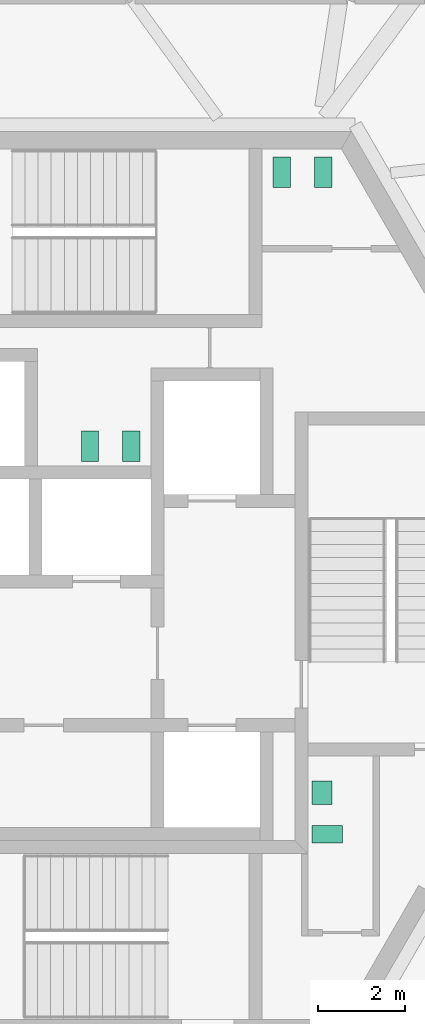
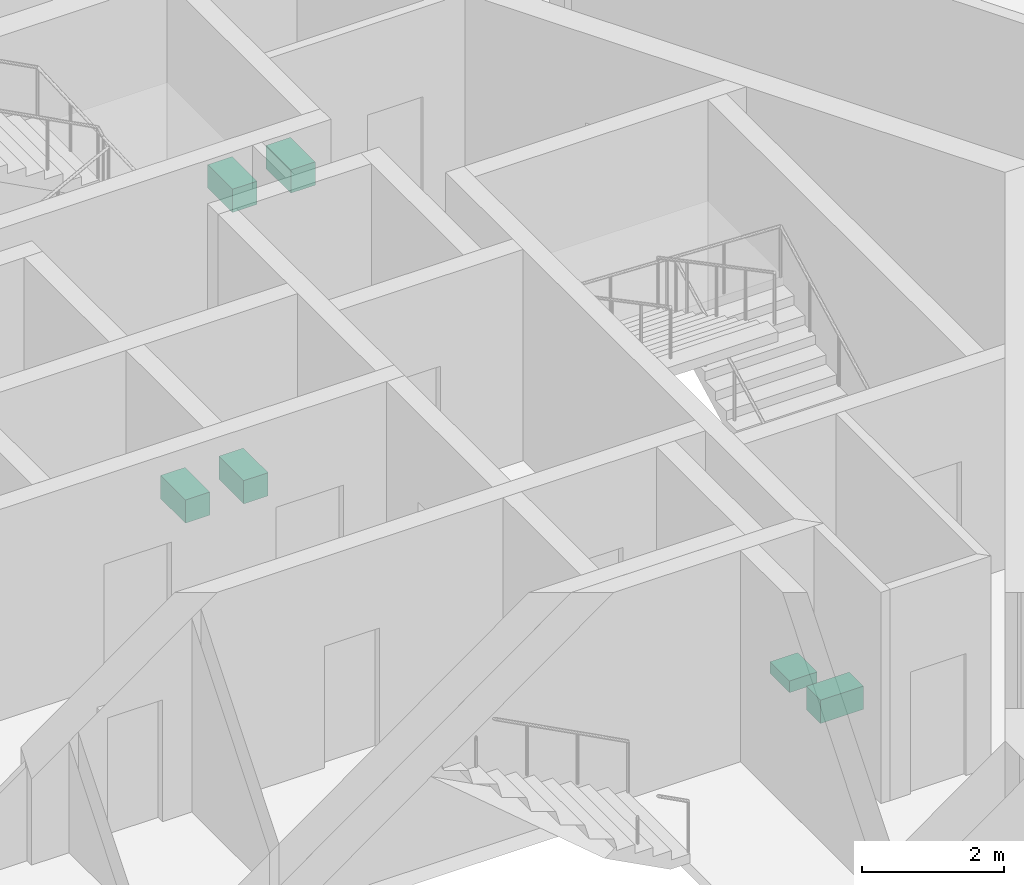
# One storey, part 30 of 30: 6 sanitary terminals.
"""IFC4 building model written with IfcOpenShell, lengths in metres."""

from ifc_helpers import new_model, si_unit, direction, frame, origin, origin_2d, place, context, subcontext, project, spatial, rectangle, extrude, source, transform, mapped, material, element, save


model = new_model("IFC4")

# Units and contexts
model_context = context("Model", 3, precision=1e-05, world=origin(), true_north=direction((0.0, 1.0)))
body_context = subcontext(model_context, "Body", "Model", "MODEL_VIEW")
ifc_project = project(units=[si_unit("LENGTHUNIT", "METRE"), si_unit("AREAUNIT", "SQUARE_METRE"), si_unit("VOLUMEUNIT", "CUBIC_METRE"), si_unit("PLANEANGLEUNIT", "RADIAN"), si_unit("MASSUNIT", "GRAM", prefix="KILO")], contexts=[model_context])

# Site, building, storey
site_placement = place(None, origin())
site = spatial("IfcSite", under=ifc_project, at=site_placement, CompositionType="ELEMENT")
building_placement = place(site_placement, origin())
building = spatial("IfcBuilding", under=site, at=building_placement, Name="Triune Harvest Tower", CompositionType="ELEMENT")
storey_placement = place(building_placement, frame((0.0, 0.0, 94.5)))
storey = spatial("IfcBuildingStorey", under=building, at=storey_placement, Name="L23", CompositionType="ELEMENT", Elevation=94.5)

# Sanitary terminals
ifc_material = material(Name="Vitreous china")
shared_shape_1 = source(origin(), body_context, "Body", "SweptSolid", [
    extrude(rectangle(XDim=0.39990234375, YDim=0.699951171875, at=origin_2d()), origin(), (0.0, 0.0, 1.0), 0.39990234375),
])
for number, where, z_axis, x_axis, name in (
    (1, (4.39990234375, 9.449951171875, 0.0), (0.0, 0.0, 1.0), (1.0, 0.0, 0.0), "Toilet pan L23.c01"),
    (2, (5.35009765625, 9.449951171875, 0.0), (0.0, 0.0, 1.0), (1.0, 0.0, 0.0), "Toilet pan L23.c02"),
    (3, (0.949951171875, 3.159912109375, 0.0), (0.0, 0.0, 1.0), (-1.0, 0.0, 0.0), "Toilet pan L23.c03"),
    (4, (0.0, 3.159912109375, 0.0), (0.0, 0.0, 1.0), (-1.0, 0.0, 0.0), "Toilet pan L23.c04"),
    (5, (5.449951171875, -5.739990234375, 0.0), (0.0, 0.0, 1.0), (0.0, 1.0, 0.0), "Toilet pan L23.c05"),
):
    element("IfcSanitaryTerminal", number, at=place(storey_placement, frame(where, z_axis=z_axis, x_axis=x_axis)), inside=storey, material=ifc_material, Name=name, PredefinedType="TOILETPAN", context=body_context, shape_type="MappedRepresentation", body=[
        mapped(shared_shape_1, transform((0.0, 0.0, 0.0), scale=1.0)),
    ])
shared_shape_2 = source(origin(), body_context, "Body", "SweptSolid", [
    extrude(rectangle(XDim=0.550048828125, YDim=0.449951171875, at=origin_2d()), origin(), (0.0, 0.0, 1.0), 0.199951171875),
])
sanitary_terminal_placement = place(storey_placement, frame((5.324951171875, -4.7900390625, 0.0), z_axis=(0.0, 0.0, 1.0), x_axis=(0.0, 1.0, 0.0)))
element("IfcSanitaryTerminal", 6, at=sanitary_terminal_placement, inside=storey, material=ifc_material, Name="Wash basin L23.c06", PredefinedType="WASHHANDBASIN", context=body_context, shape_type="MappedRepresentation", body=[
    mapped(shared_shape_2, transform((0.0, 0.0, 0.0), scale=1.0)),
])

save(model, "model.ifc")
